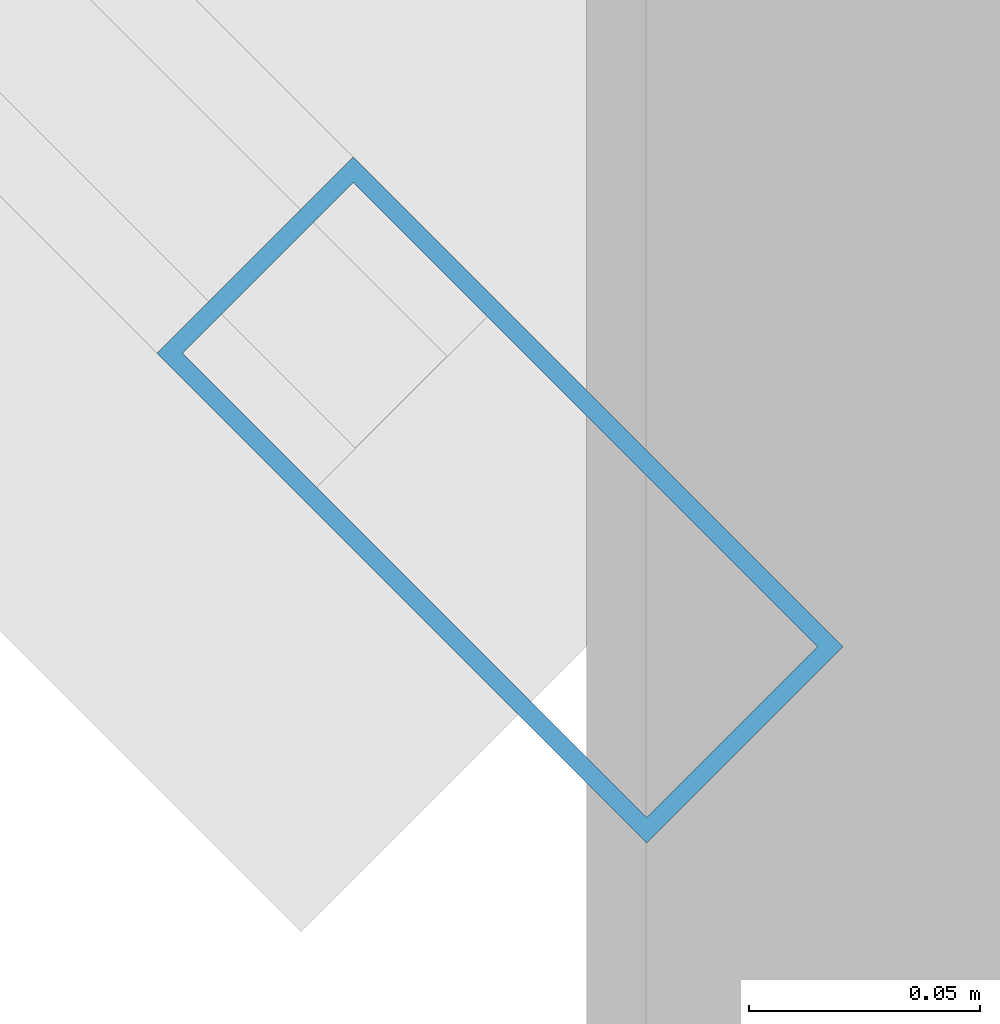
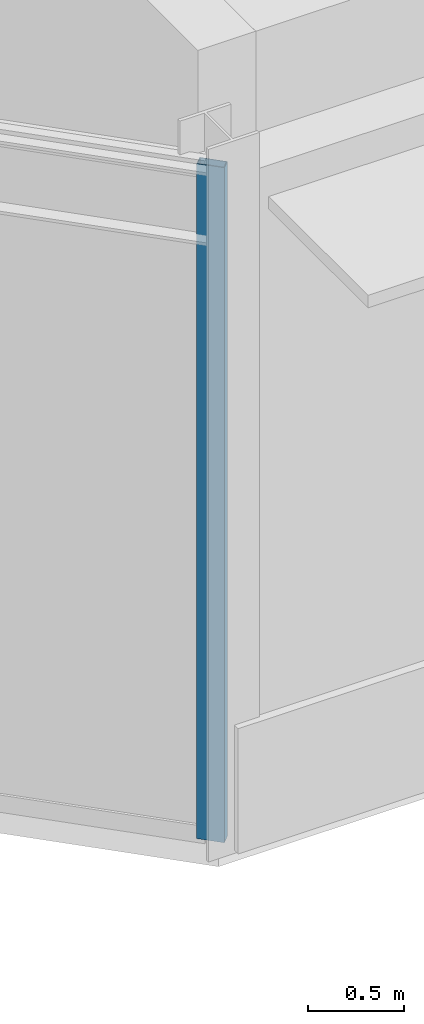
# One storey, part 5 of 50: 1 member, 1 element without a shape of its own.
"""IFC4 building model written with IfcOpenShell, lengths in metres."""

import ifcopenshell
import ifcopenshell.guid

model = None  # the IFC model being written
_history = None  # IfcOwnerHistory: only IFC2X3 demands one
_inside = {}  # id of a spatial element -> (the spatial element, [elements in it])
_under = {}  # id of a project, library or spatial element -> (it, [spatial elements below it])
_declared = {}  # id of a project -> (the project, [libraries it declares])
_typed = {}  # id of a type object -> (the type object, [elements of that type])
_made_of = {}  # id of a material, layer set ... -> (it, [elements and type objects made of it])


def new_model(schema):
    """Start an empty IFC model of exactly this schema.

    Asked for "IFC4X3", IfcOpenShell would pick the latest addendum, in which some entities
    have other attributes; the version numbers below select the first issue.
    IFC2X3 requires an IfcOwnerHistory on every rooted entity: one is made here for all.
    """
    global model, _history
    if schema == "IFC4X3":
        model = ifcopenshell.file(schema_version=(4, 3, 0, 0))
    else:
        model = ifcopenshell.file(schema=schema)
    _inside.clear()
    _under.clear()
    _declared.clear()
    _typed.clear()
    _made_of.clear()
    _history = None
    if model.schema == "IFC2X3":
        org = make("IfcOrganization", Name="unknown")
        user = make(
            "IfcPersonAndOrganization",
            ThePerson=make("IfcPerson", FamilyName="unknown"),
            TheOrganization=org,
        )
        app = make(
            "IfcApplication",
            ApplicationDeveloper=org,
            Version="unknown",
            ApplicationFullName="unknown",
            ApplicationIdentifier="unknown",
        )
        _history = make(
            "IfcOwnerHistory",
            OwningUser=user,
            OwningApplication=app,
            ChangeAction="ADDED",
            CreationDate=0,
        )
    return model


def make(cls, **values):
    """One entity of the class cls with the attributes given. An attribute that is None is left unset."""
    return model.create_entity(
        cls, **{name: value for name, value in values.items() if value is not None}
    )


def rooted(cls, **values):
    """An entity with a GlobalId (a new one), such as an element, a storey or a relation."""
    return make(cls, GlobalId=ifcopenshell.guid.new(), OwnerHistory=_history, **values)


def si_unit(unit_type, name, prefix=None):
    """IfcSIUnit, for example si_unit("LENGTHUNIT", "METRE", prefix="MILLI")."""
    return make("IfcSIUnit", UnitType=unit_type, Prefix=prefix, Name=name)


def assignment(units):
    """IfcUnitAssignment: the units of a project."""
    return None if units is None else make("IfcUnitAssignment", Units=units)


def point(xyz):
    """IfcCartesianPoint."""
    return None if xyz is None else make("IfcCartesianPoint", Coordinates=xyz)


def direction(xyz):
    """IfcDirection."""
    return None if xyz is None else make("IfcDirection", DirectionRatios=xyz)


def frame(location, z_axis=None, x_axis=None):
    """IfcAxis2Placement3D, a coordinate frame: its origin and axes. An axis left out is left unset."""
    return make(
        "IfcAxis2Placement3D",
        Location=point(location),
        Axis=direction(z_axis),
        RefDirection=direction(x_axis),
    )


def frame_2d(location, x_axis=None):
    """IfcAxis2Placement2D, a coordinate frame in the plane: its origin and x axis."""
    return make(
        "IfcAxis2Placement2D", Location=point(location), RefDirection=direction(x_axis)
    )


def origin():
    """The frame at (0, 0, 0) with its axes left unset."""
    return frame((0.0, 0.0, 0.0))


def origin_2d():
    """The frame at (0, 0) in the plane with its x axis left unset."""
    return frame_2d((0.0, 0.0))


def place(relative_to, where):
    """IfcLocalPlacement: puts the frame where relative to a parent placement (None: the world)."""
    return make(
        "IfcLocalPlacement", PlacementRelTo=relative_to, RelativePlacement=where
    )


def context(
    kind, dimensions, precision=None, world=None, true_north=None, identifier=None
):
    """IfcGeometricRepresentationContext, for example the 3D "Model" context."""
    return make(
        "IfcGeometricRepresentationContext",
        ContextIdentifier=identifier,
        ContextType=kind,
        CoordinateSpaceDimension=dimensions,
        Precision=precision,
        WorldCoordinateSystem=world,
        TrueNorth=true_north,
    )


def subcontext(parent, identifier, kind, view, scale=None):
    """IfcGeometricRepresentationSubContext, for example "Body" below "Model"."""
    return make(
        "IfcGeometricRepresentationSubContext",
        ContextIdentifier=identifier,
        ContextType=kind,
        ParentContext=parent,
        TargetScale=scale,
        TargetView=view,
    )


def project(units=None, contexts=None):
    """IfcProject with its units and contexts."""
    return rooted(
        "IfcProject",
        Name="project",
        RepresentationContexts=contexts,
        UnitsInContext=assignment(units),
    )


def spatial(cls, under=None, at=None, **own):
    """A site, building, storey or space (cls), placed at a placement, below another one or the project."""
    s = rooted(cls, ObjectPlacement=at, **own)
    if under is not None:
        _under.setdefault(under.id(), (under, []))[1].append(s)
    return s


def profile(cls, at=None, kind="AREA", **sizes):
    """A parametric profile (cls). Its sizes go by their IFC names, for example OverallWidth=200.0."""
    return make(cls, ProfileType=kind, Position=at, **sizes)


def hollow_rectangle(**sizes):
    """IfcRectangleHollowProfileDef."""
    return profile("IfcRectangleHollowProfileDef", **sizes)


def extrude(swept, where, along, depth):
    """IfcExtrudedAreaSolid: the profile swept, set in the frame where, extruded along a direction by depth."""
    return make(
        "IfcExtrudedAreaSolid",
        SweptArea=swept,
        Position=where,
        ExtrudedDirection=direction(along),
        Depth=depth,
    )


def shape(context_of_items, identifier, shape_type, items):
    """IfcShapeRepresentation: the items that make up one representation, for example the "Body"."""
    return make(
        "IfcShapeRepresentation",
        ContextOfItems=context_of_items,
        RepresentationIdentifier=identifier,
        RepresentationType=shape_type,
        Items=items,
    )


def material(Name=None, Category=None):
    """IfcMaterial."""
    return make("IfcMaterial", Name=Name, Category=Category)


def material_profile(
    of_material, cross_section, Name=None, Category=None, Priority=None
):
    """IfcMaterialProfile: a cross section and its material."""
    return make(
        "IfcMaterialProfile",
        Name=Name,
        Material=of_material,
        Profile=cross_section,
        Priority=Priority,
        Category=Category,
    )


def profile_set(profiles, Name=None, composite=None):
    """IfcMaterialProfileSet."""
    return make(
        "IfcMaterialProfileSet",
        Name=Name,
        MaterialProfiles=profiles,
        CompositeProfile=composite,
    )


def made_of(thing, what):
    """Note that an element or type object is made of a material, layer set ...; save() writes the relation."""
    if what is not None:
        _made_of.setdefault(what.id(), (what, []))[1].append(thing)
    return thing


def type_object(cls, material=None, **own):
    """A type object (cls), such as IfcWallType, which elements share."""
    return made_of(rooted(cls, **own), material)


def element(
    cls,
    number,
    at=None,
    inside=None,
    cuts=None,
    type_object=None,
    material=None,
    context=None,
    identifier="Body",
    shape_type=None,
    held_by="IfcProductDefinitionShape",
    body=None,
    shapes=None,
    **own,
):
    """One element of the class cls, such as IfcWall. Its Tag is "e" and its number.

    at: its placement. inside: the storey or other place that contains it. cuts: it is an
    opening in that element (IfcRelVoidsElement). A single representation is given by context,
    identifier, shape_type and body (its items); several are given by shapes. held_by: the class
    of the entity that holds the representations. save() writes the other relations.
    """
    e = rooted(cls, Tag="e%d" % number, ObjectPlacement=at, **own)
    if body is not None:
        shapes = [shape(context, identifier, shape_type, body)]
    if shapes is not None:
        e.Representation = make(held_by, Representations=shapes)
    if inside is not None:
        _inside.setdefault(inside.id(), (inside, []))[1].append(e)
    if cuts is not None:
        rooted(
            "IfcRelVoidsElement", RelatingBuildingElement=cuts, RelatedOpeningElement=e
        )
    if type_object is not None:
        _typed.setdefault(type_object.id(), (type_object, []))[1].append(e)
    return made_of(e, material)


def aggregate(whole, parts):
    """IfcRelAggregates: a whole, such as a stair, and the parts it consists of."""
    return rooted("IfcRelAggregates", RelatingObject=whole, RelatedObjects=parts)


def save(model, path):
    """Write the relations noted so far, then the file.

    IfcRelAggregates (storeys below a building ...), IfcRelContainedInSpatialStructure (elements
    in a storey), IfcRelDefinesByType, IfcRelAssociatesMaterial and IfcRelDeclares: one each for
    every whole, place, type object, material and project.
    """
    for whole, parts in _under.values():
        aggregate(whole, parts)
    for where, things in _inside.values():
        rooted(
            "IfcRelContainedInSpatialStructure",
            RelatedElements=things,
            RelatingStructure=where,
        )
    for kind, things in _typed.values():
        rooted("IfcRelDefinesByType", RelatedObjects=things, RelatingType=kind)
    for what, things in _made_of.values():
        rooted("IfcRelAssociatesMaterial", RelatedObjects=things, RelatingMaterial=what)
    for by, libraries in _declared.values():
        rooted("IfcRelDeclares", RelatingContext=by, RelatedDefinitions=libraries)
    model.write(path)


model = new_model("IFC4")

# Units and contexts
model_context = context("Model", 3, precision=1e-05, world=origin(), true_north=direction((0.0, 1.0)))
body_context = subcontext(model_context, "Body", "Model", "MODEL_VIEW")
ifc_project = project(units=[si_unit("LENGTHUNIT", "METRE"), si_unit("AREAUNIT", "SQUARE_METRE"), si_unit("VOLUMEUNIT", "CUBIC_METRE"), si_unit("PLANEANGLEUNIT", "RADIAN"), si_unit("MASSUNIT", "GRAM", prefix="KILO")], contexts=[model_context])

# Site, building, storey
site_placement = place(None, origin())
site = spatial("IfcSite", under=ifc_project, at=site_placement, CompositionType="ELEMENT")
building_placement = place(site_placement, origin())
building = spatial("IfcBuilding", under=site, at=building_placement, Name="Almandine Court Research Institute", CompositionType="ELEMENT")
storey_placement = place(building_placement, frame((0.0, 0.0, 23.449951171875)))
storey = spatial("IfcBuildingStorey", under=building, at=storey_placement, Name="L05", CompositionType="ELEMENT", Elevation=23.449951171875)

# Curtain wall, member
ifc_material_1 = material(Name="Unitised Curtain Wall Framing and Solar Glazing", Category="glass")
curtain_wall_type = type_object("IfcCurtainWallType", Name="CW-CWG-10", PredefinedType="USERDEFINED", material=ifc_material_1)
curtain_wall_placement = place(storey_placement, origin())
curtain_wall = element("IfcCurtainWall", 1, at=curtain_wall_placement, inside=storey, type_object=curtain_wall_type, Name="L05 Cleanroom SW Chamfer Glazing", ObjectType="UNITISED GLAZING", PredefinedType="USERDEFINED")
ifc_material_2 = material(Name="Anodised Aluminium AW-6063-T6", Category="aluminium")
ifc_material_profile = material_profile(ifc_material_2, hollow_rectangle(XDim=0.06005859375, YDim=0.14990234375, WallThickness=0.00390625, at=origin_2d()), Name="ALU RHS 60x150x4")
ifc_profile_set = profile_set([ifc_material_profile], Name="Anodised Aluminium AW-6063-T6")
member_type = type_object("IfcMemberType", Name="CWMul-60x150", PredefinedType="MULLION", material=ifc_profile_set)
member_placement = place(storey_placement, frame((10.77490234375, 84.025146484375, 0.0), z_axis=(0.0, 0.0, 1.0), x_axis=(-0.707106781187, -0.707106781187, 0.0)))
member = element("IfcMember", 2, at=member_placement, type_object=member_type, Name="CWG-10 mullion 1", PredefinedType="MULLION", context=body_context, shape_type="SweptSolid", body=[
    extrude(hollow_rectangle(XDim=0.06005859375, YDim=0.14990234375, WallThickness=0.00390625, at=origin_2d()), origin(), (0.0, 0.0, 1.0), 4.31005859375),
])
aggregate(curtain_wall, [member])

save(model, "model.ifc")
